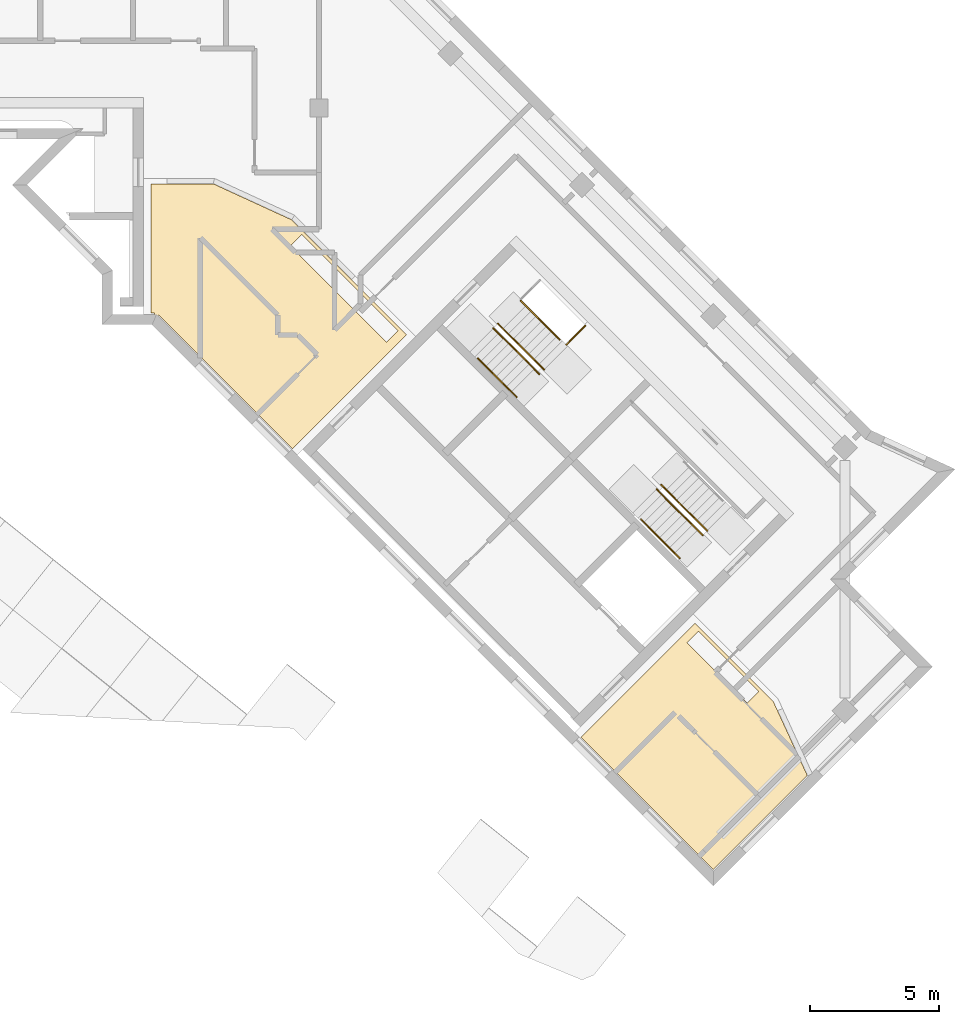
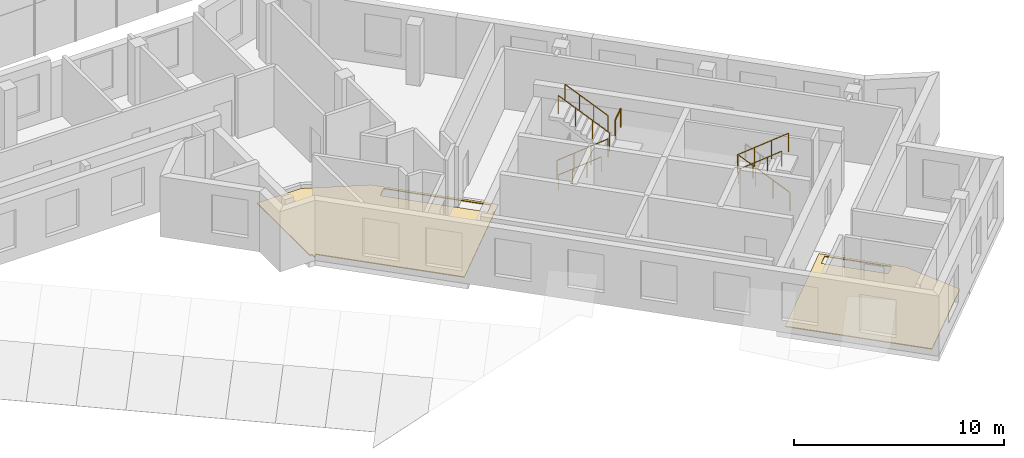
# One storey, part 11 of 13: 8 railings, 2 coverings.
"""IFC4 building model written with IfcOpenShell, lengths in metres."""

from ifc_helpers import new_model, si_unit, direction, frame, origin, origin_2d, place, context, subcontext, project, spatial, polyline, circle, outline, extrude, material, layer, layer_set, type_object, element, save


model = new_model("IFC4")

# Units and contexts
model_context = context("Model", 3, precision=1e-05, world=origin(), true_north=direction((0.0, 1.0)))
body_context = subcontext(model_context, "Body", "Model", "MODEL_VIEW")
ifc_project = project(units=[si_unit("LENGTHUNIT", "METRE"), si_unit("AREAUNIT", "SQUARE_METRE"), si_unit("VOLUMEUNIT", "CUBIC_METRE"), si_unit("PLANEANGLEUNIT", "RADIAN"), si_unit("MASSUNIT", "GRAM", prefix="KILO")], contexts=[model_context])

# Site, building, storey
site_placement = place(None, origin())
site = spatial("IfcSite", under=ifc_project, at=site_placement, CompositionType="ELEMENT")
building_placement = place(site_placement, origin())
building = spatial("IfcBuilding", under=site, at=building_placement, Name="Windrow Commons", CompositionType="ELEMENT")
storey_placement = place(building_placement, frame((0.0, 0.0, 302.0)))
storey = spatial("IfcBuildingStorey", under=building, at=storey_placement, Name="L82", CompositionType="ELEMENT", Elevation=302.0)

# Railings
ifc_material_1 = material(Name="Steel S355", Category="steel")
railing_type_1 = type_object("IfcRailingType", Name="Core stair guard 1100", PredefinedType="GUARDRAIL", material=ifc_material_1)
railing_1_placement = place(storey_placement, frame((85.9529, 56.2669, 0.19)))
element("IfcRailing", 1, at=railing_1_placement, inside=storey, type_object=railing_type_1, Name="L82 ST-B1 stair guard 1", PredefinedType="GUARDRAIL", context=body_context, shape_type="SweptSolid", body=[
    extrude(circle(Radius=0.024, at=origin_2d()), frame((0.0, 0.0, 1.076), z_axis=(0.5851127904, -0.5851127904, 0.5615033793), x_axis=(0.7071067812, 0.7071067812, 0.0)), (0.0, 0.0, 1.0), 3.0454),
    extrude(circle(Radius=0.021, at=origin_2d()), origin(), (0.0, 0.0, 1.0), 1.052),
    extrude(circle(Radius=0.021, at=origin_2d()), frame((0.594, -0.594, 0.57)), (0.0, 0.0, 1.0), 1.052),
    extrude(circle(Radius=0.021, at=origin_2d()), frame((1.1879, -1.1879, 1.14)), (0.0, 0.0, 1.0), 1.052),
    extrude(circle(Radius=0.021, at=origin_2d()), frame((1.7819, -1.7819, 1.71)), (0.0, 0.0, 1.0), 1.052),
])
railing_2_placement = place(storey_placement, frame((87.9116, 54.6617, 2.09)))
element("IfcRailing", 2, at=railing_2_placement, inside=storey, type_object=railing_type_1, Name="L82 ST-B1 stair guard 2", PredefinedType="GUARDRAIL", context=body_context, shape_type="SweptSolid", body=[
    extrude(circle(Radius=0.024, at=origin_2d()), frame((0.0, 0.0, 1.076), z_axis=(-0.5851231427, 0.5851231427, 0.5614818036), x_axis=(-0.7071067812, -0.7071067812, 0.0)), (0.0, 0.0, 1.0), 3.0455),
    extrude(circle(Radius=0.021, at=origin_2d()), origin(), (0.0, 0.0, 1.0), 1.052),
    extrude(circle(Radius=0.021, at=origin_2d()), frame((-0.594, 0.594, 0.57)), (0.0, 0.0, 1.0), 1.052),
    extrude(circle(Radius=0.021, at=origin_2d()), frame((-1.188, 1.188, 1.14)), (0.0, 0.0, 1.0), 1.052),
    extrude(circle(Radius=0.021, at=origin_2d()), frame((-1.782, 1.782, 1.71)), (0.0, 0.0, 1.0), 1.052),
])
railing_3_placement = place(storey_placement, frame((88.7813, 55.6305, 1.9)))
element("IfcRailing", 3, at=railing_3_placement, inside=storey, type_object=railing_type_1, Name="L82 ST-B1 stair guard 4", PredefinedType="GUARDRAIL", context=body_context, shape_type="SweptSolid", body=[
    extrude(circle(Radius=0.024, at=origin_2d()), frame((0.0, 0.0, 1.076), z_axis=(0.7071067812, 0.7071067812, 0.0), x_axis=(-0.7071067812, 0.7071067812, 0.0)), (0.0, 0.0, 1.0), 1.03),
    extrude(circle(Radius=0.021, at=origin_2d()), origin(), (0.0, 0.0, 1.0), 1.052),
    extrude(circle(Radius=0.021, at=origin_2d()), frame((0.7283, 0.7283, 0.0)), (0.0, 0.0, 1.0), 1.052),
])
railing_4_placement = place(storey_placement, frame((94.2296, 48.4215, 0.19)))
element("IfcRailing", 4, at=railing_4_placement, inside=storey, type_object=railing_type_1, Name="L82 ST-B2 stair guard 1", PredefinedType="GUARDRAIL", context=body_context, shape_type="SweptSolid", body=[
    extrude(circle(Radius=0.024, at=origin_2d()), frame((0.0, 0.0, 1.076), z_axis=(-0.5851343845, 0.5851015486, 0.5614925911), x_axis=(-0.7070869401, -0.7071266217, 0.0)), (0.0, 0.0, 1.0), 3.0455),
    extrude(circle(Radius=0.021, at=origin_2d()), origin(), (0.0, 0.0, 1.0), 1.052),
    extrude(circle(Radius=0.021, at=origin_2d()), frame((-0.594, 0.594, 0.57)), (0.0, 0.0, 1.0), 1.052),
    extrude(circle(Radius=0.021, at=origin_2d()), frame((-1.188, 1.1879, 1.14)), (0.0, 0.0, 1.0), 1.052),
    extrude(circle(Radius=0.021, at=origin_2d()), frame((-1.782, 1.7819, 1.71)), (0.0, 0.0, 1.0), 1.052),
])
railing_5_placement = place(storey_placement, frame((92.2709, 50.0267, 2.09)))
element("IfcRailing", 5, at=railing_5_placement, inside=storey, type_object=railing_type_1, Name="L82 ST-B2 stair guard 2", PredefinedType="GUARDRAIL", context=body_context, shape_type="SweptSolid", body=[
    extrude(circle(Radius=0.024, at=origin_2d()), frame((0.0, 0.0, 1.076), z_axis=(0.5851015486, -0.5851343845, 0.5614925911), x_axis=(0.7071266217, 0.7070869401, 0.0)), (0.0, 0.0, 1.0), 3.0455),
    extrude(circle(Radius=0.021, at=origin_2d()), origin(), (0.0, 0.0, 1.0), 1.052),
    extrude(circle(Radius=0.021, at=origin_2d()), frame((0.594, -0.594, 0.57)), (0.0, 0.0, 1.0), 1.052),
    extrude(circle(Radius=0.021, at=origin_2d()), frame((1.1879, -1.188, 1.14)), (0.0, 0.0, 1.0), 1.052),
    extrude(circle(Radius=0.021, at=origin_2d()), frame((1.7819, -1.782, 1.71)), (0.0, 0.0, 1.0), 1.052),
])
ifc_material_2 = material(Name="Steel S355", Category="steel")
railing_type_2 = type_object("IfcRailingType", Name="Core stair handrail 900", PredefinedType="HANDRAIL", material=ifc_material_2)
railing_6_placement = place(storey_placement, frame((85.3518, 55.1001, 0.4614)))
element("IfcRailing", 6, at=railing_6_placement, inside=storey, type_object=railing_type_2, Name="L82 ST-B1 stair handrail 1", PredefinedType="HANDRAIL", context=body_context, shape_type="SweptSolid", body=[
    extrude(circle(Radius=0.024, at=origin_2d()), frame((0.0, 0.0, 0.876), z_axis=(0.5851275679, -0.5850885359, 0.561513254), x_axis=(0.7070831956, 0.707130366, 0.0)), (0.0, 0.0, 1.0), 2.562),
    extrude(circle(Radius=0.021, at=origin_2d()), origin(), (0.0, 0.0, 1.0), 0.852),
    extrude(circle(Radius=0.021, at=origin_2d()), frame((0.4997, -0.4997, 0.4795)), (0.0, 0.0, 1.0), 0.852),
    extrude(circle(Radius=0.021, at=origin_2d()), frame((0.9994, -0.9993, 0.9591)), (0.0, 0.0, 1.0), 0.852),
    extrude(circle(Radius=0.021, at=origin_2d()), frame((1.4991, -1.499, 1.4386)), (0.0, 0.0, 1.0), 0.852),
])
railing_7_placement = place(storey_placement, frame((88.5126, 55.8285, 2.3614)))
element("IfcRailing", 7, at=railing_7_placement, inside=storey, type_object=railing_type_2, Name="L82 ST-B1 stair handrail 2", PredefinedType="HANDRAIL", context=body_context, shape_type="SweptSolid", body=[
    extrude(circle(Radius=0.024, at=origin_2d()), frame((0.0, 0.0, 0.876), z_axis=(-0.5851275679, 0.5850885359, 0.561513254), x_axis=(-0.7070831956, -0.707130366, 0.0)), (0.0, 0.0, 1.0), 2.562),
    extrude(circle(Radius=0.021, at=origin_2d()), origin(), (0.0, 0.0, 1.0), 0.852),
    extrude(circle(Radius=0.021, at=origin_2d()), frame((-0.4997, 0.4997, 0.4795)), (0.0, 0.0, 1.0), 0.852),
    extrude(circle(Radius=0.021, at=origin_2d()), frame((-0.9994, 0.9993, 0.9591)), (0.0, 0.0, 1.0), 0.852),
    extrude(circle(Radius=0.021, at=origin_2d()), frame((-1.4991, 1.499, 1.4386)), (0.0, 0.0, 1.0), 0.852),
])
railing_8_placement = place(storey_placement, frame((91.6698, 48.8599, 2.3614)))
element("IfcRailing", 8, at=railing_8_placement, inside=storey, type_object=railing_type_2, Name="L82 ST-B2 stair handrail 2", PredefinedType="HANDRAIL", context=body_context, shape_type="SweptSolid", body=[
    extrude(circle(Radius=0.024, at=origin_2d()), frame((0.0, 0.0, 0.876), z_axis=(0.5851275679, -0.5850885359, 0.561513254), x_axis=(0.7070831956, 0.707130366, 0.0)), (0.0, 0.0, 1.0), 2.562),
    extrude(circle(Radius=0.021, at=origin_2d()), origin(), (0.0, 0.0, 1.0), 0.852),
    extrude(circle(Radius=0.021, at=origin_2d()), frame((0.4997, -0.4997, 0.4795)), (0.0, 0.0, 1.0), 0.852),
    extrude(circle(Radius=0.021, at=origin_2d()), frame((0.9994, -0.9993, 0.9591)), (0.0, 0.0, 1.0), 0.852),
    extrude(circle(Radius=0.021, at=origin_2d()), frame((1.4991, -1.499, 1.4386)), (0.0, 0.0, 1.0), 0.852),
])

# Coverings
ifc_material_3 = material(Name="Granite pavers on waterproofing membrane", Category="masonry")
ifc_layer = layer(ifc_material_3, 0.05)
ifc_layer_set = layer_set([ifc_layer], Name="Terrace roofing 50")
covering_type = type_object("IfcCoveringType", Name="Terrace roofing 50", PredefinedType="ROOFING", material=ifc_layer_set)
placement = place(storey_placement, origin())
element("IfcCovering", 9, at=placement, inside=storey, type_object=covering_type, Name="Terrace roofing TR-L82-2", PredefinedType="ROOFING", context=body_context, shape_type="SweptSolid", body=[
    extrude(outline(polyline([(93.7593, 44.84), (96.7914, 41.8081), (98.11, 38.9377), (94.4735, 35.3012), (89.347, 40.4277), (93.8371, 44.9178), (93.7593, 44.84)]), holes=[polyline([(93.8937, 44.5219), (93.4553, 44.0834), (95.781, 41.7578), (96.2194, 42.1962), (93.8937, 44.5219)])]), origin(), (0.0, 0.0, 1.0), 0.05),
])
element("IfcCovering", 10, at=placement, inside=storey, type_object=covering_type, Name="Terrace roofing TR-L82-2", PredefinedType="ROOFING", context=body_context, shape_type="SweptSolid", body=[
    extrude(outline(polyline([(72.7, 56.85), (72.7, 61.857), (75.1025, 61.857), (78.136, 60.4634), (82.5871, 56.0124), (78.1747, 51.6), (72.9979, 56.7768), (72.8211, 56.6), (72.8211, 56.85), (72.7, 56.85)]), holes=[polyline([(82.2513, 56.1643), (78.5241, 59.8914), (78.0857, 59.453), (81.8129, 55.7259), (82.2513, 56.1643)])]), origin(), (0.0, 0.0, 1.0), 0.05),
])

save(model, "model.ifc")
